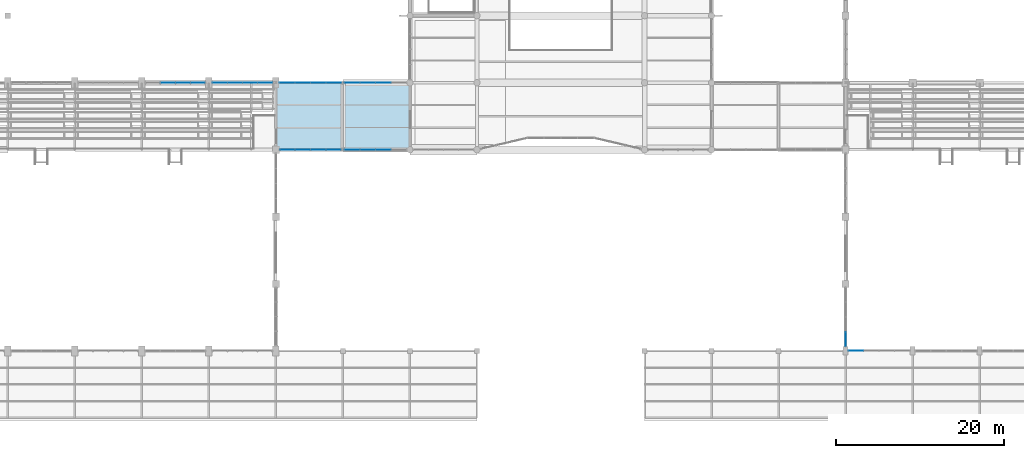
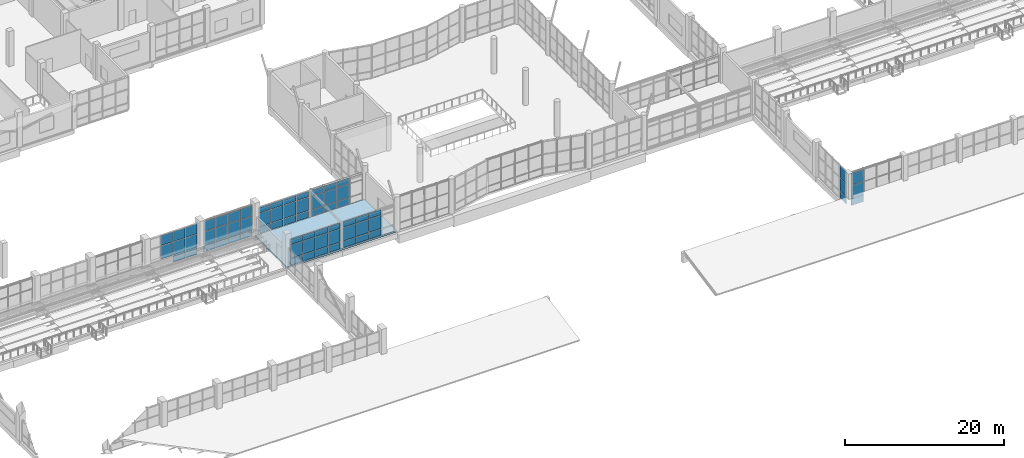
# One storey, part 73 of 122: 68 plates, 1 slab, 8 elements without a shape of their own.
"""IFC4 building model written with IfcOpenShell, lengths in metres."""

from ifc_helpers import new_model, si_unit, direction, frame, origin, origin_2d, place, context, subcontext, project, spatial, polyline, rectangle, outline, extrude, material, layer, layer_set, type_object, element, aggregate, save


model = new_model("IFC4")

# Units and contexts
model_context = context("Model", 3, precision=1e-05, world=origin(), true_north=direction((0.0, 1.0)))
body_context = subcontext(model_context, "Body", "Model", "MODEL_VIEW")
ifc_project = project(units=[si_unit("LENGTHUNIT", "METRE"), si_unit("AREAUNIT", "SQUARE_METRE"), si_unit("VOLUMEUNIT", "CUBIC_METRE"), si_unit("PLANEANGLEUNIT", "RADIAN"), si_unit("MASSUNIT", "GRAM", prefix="KILO")], contexts=[model_context])

# Site, building, storey
site_placement = place(None, origin())
site = spatial("IfcSite", under=ifc_project, at=site_placement, CompositionType="ELEMENT")
building_placement = place(site_placement, origin())
building = spatial("IfcBuilding", under=site, at=building_placement, Name="Tenunan Teduh Sports Hall", CompositionType="ELEMENT")
storey_placement = place(building_placement, frame((0.0, 0.0, 5.39990234375)))
storey = spatial("IfcBuildingStorey", under=building, at=storey_placement, Name="L01", CompositionType="ELEMENT", Elevation=5.39990234375)

# Curtain wall, plates
ifc_material_1 = material(Name="Anodised aluminium", Category="aluminium")
curtain_wall_type_1 = type_object("IfcCurtainWallType", Name="CW-UNIT-2", PredefinedType="NOTDEFINED", material=ifc_material_1)
curtain_wall_1_placement = place(storey_placement, origin())
curtain_wall_1 = element("IfcCurtainWall", 1, at=curtain_wall_1_placement, inside=storey, type_object=curtain_wall_type_1, Name="CW-CWM-200-L01-176", PredefinedType="NOTDEFINED")
ifc_material_2 = material(Name="Low-E laminated double glazing", Category="glass")
ifc_layer_1 = layer(ifc_material_2, 0.028076171875)
ifc_layer_set_1 = layer_set([ifc_layer_1], Name="Low-E laminated double glazing")
plate_type_1 = type_object("IfcPlateType", Name="CWP-GLZ-28", PredefinedType="CURTAIN_PANEL", material=ifc_layer_set_1)
plate_1_placement = place(storey_placement, frame((55.369140625, 38.0, 1.13525390625), z_axis=(0.0, 0.0, 1.0), x_axis=(1.0, 0.0, 0.0)))
plate_1 = element("IfcPlate", 2, at=plate_1_placement, type_object=plate_type_1, Name="CW-02 panel 1.2", PredefinedType="CURTAIN_PANEL", context=body_context, shape_type="SweptSolid", body=[
    extrude(rectangle(XDim=1.748291015625, YDim=0.028076171875, at=origin_2d()), origin(), (0.0, 0.0, 1.0), 2.030029296875),
])
plate_2_placement = place(storey_placement, frame((55.369140625, 38.0, 3.2353515625), z_axis=(0.0, 0.0, 1.0), x_axis=(1.0, 0.0, 0.0)))
plate_2 = element("IfcPlate", 3, at=plate_2_placement, type_object=plate_type_1, Name="CW-02 panel 1.3", PredefinedType="CURTAIN_PANEL", context=body_context, shape_type="SweptSolid", body=[
    extrude(rectangle(XDim=1.748291015625, YDim=0.028076171875, at=origin_2d()), origin(), (0.0, 0.0, 1.0), 0.844970703125),
])
plate_3_placement = place(storey_placement, frame((57.204833984375, 38.0, 1.13525390625), z_axis=(0.0, 0.0, 1.0), x_axis=(1.0, 0.0, 0.0)))
plate_3 = element("IfcPlate", 4, at=plate_3_placement, type_object=plate_type_1, Name="CW-02 panel 2.2", PredefinedType="CURTAIN_PANEL", context=body_context, shape_type="SweptSolid", body=[
    extrude(rectangle(XDim=1.783203125, YDim=0.028076171875, at=origin_2d()), origin(), (0.0, 0.0, 1.0), 2.030029296875),
])
plate_4_placement = place(storey_placement, frame((57.204833984375, 38.0, 3.2353515625), z_axis=(0.0, 0.0, 1.0), x_axis=(1.0, 0.0, 0.0)))
plate_4 = element("IfcPlate", 5, at=plate_4_placement, type_object=plate_type_1, Name="CW-02 panel 2.3", PredefinedType="CURTAIN_PANEL", context=body_context, shape_type="SweptSolid", body=[
    extrude(rectangle(XDim=1.783203125, YDim=0.028076171875, at=origin_2d()), origin(), (0.0, 0.0, 1.0), 0.844970703125),
])
plate_5_placement = place(storey_placement, frame((59.05810546875, 38.0, 1.13525390625), z_axis=(0.0, 0.0, 1.0), x_axis=(1.0, 0.0, 0.0)))
plate_5 = element("IfcPlate", 6, at=plate_5_placement, type_object=plate_type_1, Name="CW-02 panel 3.2", PredefinedType="CURTAIN_PANEL", context=body_context, shape_type="SweptSolid", body=[
    extrude(rectangle(XDim=1.783203125, YDim=0.028076171875, at=origin_2d()), origin(), (0.0, 0.0, 1.0), 2.030029296875),
])
plate_6_placement = place(storey_placement, frame((59.05810546875, 38.0, 3.2353515625), z_axis=(0.0, 0.0, 1.0), x_axis=(1.0, 0.0, 0.0)))
plate_6 = element("IfcPlate", 7, at=plate_6_placement, type_object=plate_type_1, Name="CW-02 panel 3.3", PredefinedType="CURTAIN_PANEL", context=body_context, shape_type="SweptSolid", body=[
    extrude(rectangle(XDim=1.783203125, YDim=0.028076171875, at=origin_2d()), origin(), (0.0, 0.0, 1.0), 0.844970703125),
])
plate_7_placement = place(storey_placement, frame((60.89404296875, 38.0, 1.13525390625), z_axis=(0.0, 0.0, 1.0), x_axis=(1.0, 0.0, 0.0)))
plate_7 = element("IfcPlate", 8, at=plate_7_placement, type_object=plate_type_1, Name="CW-02 panel 4.2", PredefinedType="CURTAIN_PANEL", context=body_context, shape_type="SweptSolid", body=[
    extrude(rectangle(XDim=1.748291015625, YDim=0.028076171875, at=origin_2d()), origin(), (0.0, 0.0, 1.0), 2.030029296875),
])
plate_8_placement = place(storey_placement, frame((60.89404296875, 38.0, 3.2353515625), z_axis=(0.0, 0.0, 1.0), x_axis=(1.0, 0.0, 0.0)))
plate_8 = element("IfcPlate", 9, at=plate_8_placement, type_object=plate_type_1, Name="CW-02 panel 4.3", PredefinedType="CURTAIN_PANEL", context=body_context, shape_type="SweptSolid", body=[
    extrude(rectangle(XDim=1.748291015625, YDim=0.028076171875, at=origin_2d()), origin(), (0.0, 0.0, 1.0), 0.844970703125),
])

curtain_wall_2_placement = place(storey_placement, origin())
curtain_wall_2 = element("IfcCurtainWall", 10, at=curtain_wall_2_placement, inside=storey, type_object=curtain_wall_type_1, Name="CW-CWM-175-L01-178", PredefinedType="NOTDEFINED")
plate_9_placement = place(storey_placement, frame((55.345947265625, 46.0, 1.1328125), z_axis=(0.0, 0.0, 1.0), x_axis=(1.0, 0.0, 0.0)))
plate_9 = element("IfcPlate", 11, at=plate_9_placement, type_object=plate_type_1, Name="CW-02 panel 1.2", PredefinedType="CURTAIN_PANEL", context=body_context, shape_type="SweptSolid", body=[
    extrude(rectangle(XDim=1.761962890625, YDim=0.028076171875, at=origin_2d()), origin(), (0.0, 0.0, 1.0), 2.034912109375),
])
plate_10_placement = place(storey_placement, frame((55.345947265625, 46.0, 3.232666015625), z_axis=(0.0, 0.0, 1.0), x_axis=(1.0, 0.0, 0.0)))
plate_10 = element("IfcPlate", 12, at=plate_10_placement, type_object=plate_type_1, Name="CW-02 panel 1.3", PredefinedType="CURTAIN_PANEL", context=body_context, shape_type="SweptSolid", body=[
    extrude(rectangle(XDim=1.761962890625, YDim=0.028076171875, at=origin_2d()), origin(), (0.0, 0.0, 1.0), 0.8525390625),
])
plate_11_placement = place(storey_placement, frame((57.189208984375, 46.0, 1.1328125), z_axis=(0.0, 0.0, 1.0), x_axis=(1.0, 0.0, 0.0)))
plate_11 = element("IfcPlate", 13, at=plate_11_placement, type_object=plate_type_1, Name="CW-02 panel 2.2", PredefinedType="CURTAIN_PANEL", context=body_context, shape_type="SweptSolid", body=[
    extrude(rectangle(XDim=1.79443359375, YDim=0.028076171875, at=origin_2d()), origin(), (0.0, 0.0, 1.0), 2.034912109375),
])
plate_12_placement = place(storey_placement, frame((57.189208984375, 46.0, 3.232666015625), z_axis=(0.0, 0.0, 1.0), x_axis=(1.0, 0.0, 0.0)))
plate_12 = element("IfcPlate", 14, at=plate_12_placement, type_object=plate_type_1, Name="CW-02 panel 2.3", PredefinedType="CURTAIN_PANEL", context=body_context, shape_type="SweptSolid", body=[
    extrude(rectangle(XDim=1.79443359375, YDim=0.028076171875, at=origin_2d()), origin(), (0.0, 0.0, 1.0), 0.8525390625),
])
plate_13_placement = place(storey_placement, frame((59.048828125, 46.0, 1.1328125), z_axis=(0.0, 0.0, 1.0), x_axis=(1.0, 0.0, 0.0)))
plate_13 = element("IfcPlate", 15, at=plate_13_placement, type_object=plate_type_1, Name="CW-02 panel 3.2", PredefinedType="CURTAIN_PANEL", context=body_context, shape_type="SweptSolid", body=[
    extrude(rectangle(XDim=1.79443359375, YDim=0.028076171875, at=origin_2d()), origin(), (0.0, 0.0, 1.0), 2.034912109375),
])
plate_14_placement = place(storey_placement, frame((59.048828125, 46.0, 3.232666015625), z_axis=(0.0, 0.0, 1.0), x_axis=(1.0, 0.0, 0.0)))
plate_14 = element("IfcPlate", 16, at=plate_14_placement, type_object=plate_type_1, Name="CW-02 panel 3.3", PredefinedType="CURTAIN_PANEL", context=body_context, shape_type="SweptSolid", body=[
    extrude(rectangle(XDim=1.79443359375, YDim=0.028076171875, at=origin_2d()), origin(), (0.0, 0.0, 1.0), 0.8525390625),
])
plate_15_placement = place(storey_placement, frame((60.89208984375, 46.0, 1.1328125), z_axis=(0.0, 0.0, 1.0), x_axis=(1.0, 0.0, 0.0)))
plate_15 = element("IfcPlate", 17, at=plate_15_placement, type_object=plate_type_1, Name="CW-02 panel 4.2", PredefinedType="CURTAIN_PANEL", context=body_context, shape_type="SweptSolid", body=[
    extrude(rectangle(XDim=1.761962890625, YDim=0.028076171875, at=origin_2d()), origin(), (0.0, 0.0, 1.0), 2.034912109375),
])
plate_16_placement = place(storey_placement, frame((60.89208984375, 46.0, 3.232666015625), z_axis=(0.0, 0.0, 1.0), x_axis=(1.0, 0.0, 0.0)))
plate_16 = element("IfcPlate", 18, at=plate_16_placement, type_object=plate_type_1, Name="CW-02 panel 4.3", PredefinedType="CURTAIN_PANEL", context=body_context, shape_type="SweptSolid", body=[
    extrude(rectangle(XDim=1.761962890625, YDim=0.028076171875, at=origin_2d()), origin(), (0.0, 0.0, 1.0), 0.8525390625),
])

ifc_material_3 = material(Name="Anodised aluminium", Category="aluminium")
curtain_wall_type_2 = type_object("IfcCurtainWallType", Name="CW-UNIT-1", PredefinedType="NOTDEFINED", material=ifc_material_3)
curtain_wall_3_placement = place(storey_placement, origin())
curtain_wall_3 = element("IfcCurtainWall", 19, at=curtain_wall_3_placement, inside=storey, type_object=curtain_wall_type_2, Name="CW-CWM-150-L01-007", PredefinedType="NOTDEFINED")
ifc_material_4 = material(Name="Solar-control laminated glazing", Category="glass")
ifc_layer_2 = layer(ifc_material_4, 0.031982421875)
ifc_layer_set_2 = layer_set([ifc_layer_2], Name="Solar-control laminated glazing")
plate_type_2 = type_object("IfcPlateType", Name="CWP-GLZ-32", PredefinedType="CURTAIN_PANEL", material=ifc_layer_set_2)
plate_17_placement = place(storey_placement, frame((123.239990234375, 14.0, 1.130126953125), z_axis=(0.0, 0.0, 1.0), x_axis=(1.0, 0.0, 0.0)))
plate_17 = element("IfcPlate", 20, at=plate_17_placement, type_object=plate_type_2, Name="CW-01 panel 1.2", PredefinedType="CURTAIN_PANEL", context=body_context, shape_type="SweptSolid", body=[
    extrude(rectangle(XDim=1.760009765625, YDim=0.031982421875, at=origin_2d()), origin(), (0.0, 0.0, 1.0), 2.0400390625),
])
plate_18_placement = place(storey_placement, frame((123.239990234375, 14.0, 3.22998046875), z_axis=(0.0, 0.0, 1.0), x_axis=(1.0, 0.0, 0.0)))
plate_18 = element("IfcPlate", 21, at=plate_18_placement, type_object=plate_type_2, Name="CW-01 panel 1.3", PredefinedType="CURTAIN_PANEL", context=body_context, shape_type="SweptSolid", body=[
    extrude(rectangle(XDim=1.760009765625, YDim=0.031982421875, at=origin_2d()), origin(), (0.0, 0.0, 1.0), 1.830078125),
])

curtain_wall_4_placement = place(storey_placement, origin())
curtain_wall_4 = element("IfcCurtainWall", 22, at=curtain_wall_4_placement, inside=storey, type_object=curtain_wall_type_2, Name="CW-CWM-150-L01-015", PredefinedType="NOTDEFINED")
plate_19_placement = place(storey_placement, frame((122.0, 15.3994140625, 1.130126953125), z_axis=(0.0, 0.0, 1.0), x_axis=(0.0, 1.0, 0.0)))
plate_19 = element("IfcPlate", 23, at=plate_19_placement, type_object=plate_type_2, Name="CW-01 panel 1.2", PredefinedType="CURTAIN_PANEL", context=body_context, shape_type="SweptSolid", body=[
    extrude(rectangle(XDim=1.6787109375, YDim=0.031982421875, at=origin_2d()), origin(), (0.0, 0.0, 1.0), 2.0400390625),
])
plate_20_placement = place(storey_placement, frame((122.0, 15.3994140625, 3.22998046875), z_axis=(0.0, 0.0, 1.0), x_axis=(0.0, 1.0, 0.0)))
plate_20 = element("IfcPlate", 24, at=plate_20_placement, type_object=plate_type_2, Name="CW-01 panel 1.3", PredefinedType="CURTAIN_PANEL", context=body_context, shape_type="SweptSolid", body=[
    extrude(rectangle(XDim=1.6787109375, YDim=0.031982421875, at=origin_2d()), origin(), (0.0, 0.0, 1.0), 1.830078125),
])

curtain_wall_5_placement = place(storey_placement, origin())
curtain_wall_5 = element("IfcCurtainWall", 25, at=curtain_wall_5_placement, inside=storey, type_object=curtain_wall_type_2, Name="CW-CWM-220-L01-049", PredefinedType="NOTDEFINED")
plate_21_placement = place(storey_placement, frame((41.10009765625, 46.0, 1.1376953125), z_axis=(0.0, 0.0, 1.0), x_axis=(1.0, 0.0, 0.0)))
plate_21 = element("IfcPlate", 26, at=plate_21_placement, type_object=plate_type_2, Name="CW-01 panel 2.2", PredefinedType="CURTAIN_PANEL", context=body_context, shape_type="SweptSolid", body=[
    extrude(rectangle(XDim=1.72509765625, YDim=0.031982421875, at=origin_2d()), origin(), (0.0, 0.0, 1.0), 2.02490234375),
])
plate_22_placement = place(storey_placement, frame((41.10009765625, 46.0, 3.237548828125), z_axis=(0.0, 0.0, 1.0), x_axis=(1.0, 0.0, 0.0)))
plate_22 = element("IfcPlate", 27, at=plate_22_placement, type_object=plate_type_2, Name="CW-01 panel 2.3", PredefinedType="CURTAIN_PANEL", context=body_context, shape_type="SweptSolid", body=[
    extrude(rectangle(XDim=1.72509765625, YDim=0.031982421875, at=origin_2d()), origin(), (0.0, 0.0, 1.0), 1.53759765625),
])
plate_23_placement = place(storey_placement, frame((42.89990234375, 46.0, 1.1376953125), z_axis=(0.0, 0.0, 1.0), x_axis=(1.0, 0.0, 0.0)))
plate_23 = element("IfcPlate", 28, at=plate_23_placement, type_object=plate_type_2, Name="CW-01 panel 3.2", PredefinedType="CURTAIN_PANEL", context=body_context, shape_type="SweptSolid", body=[
    extrude(rectangle(XDim=1.72509765625, YDim=0.031982421875, at=origin_2d()), origin(), (0.0, 0.0, 1.0), 2.02490234375),
])
plate_24_placement = place(storey_placement, frame((42.89990234375, 46.0, 3.237548828125), z_axis=(0.0, 0.0, 1.0), x_axis=(1.0, 0.0, 0.0)))
plate_24 = element("IfcPlate", 29, at=plate_24_placement, type_object=plate_type_2, Name="CW-01 panel 3.3", PredefinedType="CURTAIN_PANEL", context=body_context, shape_type="SweptSolid", body=[
    extrude(rectangle(XDim=1.72509765625, YDim=0.031982421875, at=origin_2d()), origin(), (0.0, 0.0, 1.0), 1.53759765625),
])
plate_25_placement = place(storey_placement, frame((44.68115234375, 46.0, 1.1376953125), z_axis=(0.0, 0.0, 1.0), x_axis=(1.0, 0.0, 0.0)))
plate_25 = element("IfcPlate", 30, at=plate_25_placement, type_object=plate_type_2, Name="CW-01 panel 4.2", PredefinedType="CURTAIN_PANEL", context=body_context, shape_type="SweptSolid", body=[
    extrude(rectangle(XDim=1.6875, YDim=0.031982421875, at=origin_2d()), origin(), (0.0, 0.0, 1.0), 2.02490234375),
])
plate_26_placement = place(storey_placement, frame((44.68115234375, 46.0, 3.237548828125), z_axis=(0.0, 0.0, 1.0), x_axis=(1.0, 0.0, 0.0)))
plate_26 = element("IfcPlate", 31, at=plate_26_placement, type_object=plate_type_2, Name="CW-01 panel 4.3", PredefinedType="CURTAIN_PANEL", context=body_context, shape_type="SweptSolid", body=[
    extrude(rectangle(XDim=1.6875, YDim=0.031982421875, at=origin_2d()), origin(), (0.0, 0.0, 1.0), 1.53759765625),
])

curtain_wall_6_placement = place(storey_placement, origin())
curtain_wall_6 = element("IfcCurtainWall", 32, at=curtain_wall_6_placement, inside=storey, type_object=curtain_wall_type_2, Name="CW-CWM-150-L01-051", PredefinedType="NOTDEFINED")
plate_27_placement = place(storey_placement, frame((47.31494140625, 46.0, 1.130126953125), z_axis=(0.0, 0.0, 1.0), x_axis=(1.0, 0.0, 0.0)))
plate_27 = element("IfcPlate", 33, at=plate_27_placement, type_object=plate_type_2, Name="CW-01 panel 1.2", PredefinedType="CURTAIN_PANEL", context=body_context, shape_type="SweptSolid", body=[
    extrude(rectangle(XDim=1.7099609375, YDim=0.031982421875, at=origin_2d()), origin(), (0.0, 0.0, 1.0), 2.0400390625),
])
plate_28_placement = place(storey_placement, frame((47.31494140625, 46.0, 3.22998046875), z_axis=(0.0, 0.0, 1.0), x_axis=(1.0, 0.0, 0.0)))
plate_28 = element("IfcPlate", 34, at=plate_28_placement, type_object=plate_type_2, Name="CW-01 panel 1.3", PredefinedType="CURTAIN_PANEL", context=body_context, shape_type="SweptSolid", body=[
    extrude(rectangle(XDim=1.7099609375, YDim=0.031982421875, at=origin_2d()), origin(), (0.0, 0.0, 1.0), 1.56005859375),
])
plate_29_placement = place(storey_placement, frame((49.10009765625, 46.0, 1.130126953125), z_axis=(0.0, 0.0, 1.0), x_axis=(1.0, 0.0, 0.0)))
plate_29 = element("IfcPlate", 35, at=plate_29_placement, type_object=plate_type_2, Name="CW-01 panel 2.2", PredefinedType="CURTAIN_PANEL", context=body_context, shape_type="SweptSolid", body=[
    extrude(rectangle(XDim=1.739990234375, YDim=0.031982421875, at=origin_2d()), origin(), (0.0, 0.0, 1.0), 2.0400390625),
])
plate_30_placement = place(storey_placement, frame((49.10009765625, 46.0, 3.22998046875), z_axis=(0.0, 0.0, 1.0), x_axis=(1.0, 0.0, 0.0)))
plate_30 = element("IfcPlate", 36, at=plate_30_placement, type_object=plate_type_2, Name="CW-01 panel 2.3", PredefinedType="CURTAIN_PANEL", context=body_context, shape_type="SweptSolid", body=[
    extrude(rectangle(XDim=1.739990234375, YDim=0.031982421875, at=origin_2d()), origin(), (0.0, 0.0, 1.0), 1.56005859375),
])
plate_31_placement = place(storey_placement, frame((50.89990234375, 46.0, 1.130126953125), z_axis=(0.0, 0.0, 1.0), x_axis=(1.0, 0.0, 0.0)))
plate_31 = element("IfcPlate", 37, at=plate_31_placement, type_object=plate_type_2, Name="CW-01 panel 3.2", PredefinedType="CURTAIN_PANEL", context=body_context, shape_type="SweptSolid", body=[
    extrude(rectangle(XDim=1.739990234375, YDim=0.031982421875, at=origin_2d()), origin(), (0.0, 0.0, 1.0), 2.0400390625),
])
plate_32_placement = place(storey_placement, frame((50.89990234375, 46.0, 3.22998046875), z_axis=(0.0, 0.0, 1.0), x_axis=(1.0, 0.0, 0.0)))
plate_32 = element("IfcPlate", 38, at=plate_32_placement, type_object=plate_type_2, Name="CW-01 panel 3.3", PredefinedType="CURTAIN_PANEL", context=body_context, shape_type="SweptSolid", body=[
    extrude(rectangle(XDim=1.739990234375, YDim=0.031982421875, at=origin_2d()), origin(), (0.0, 0.0, 1.0), 1.56005859375),
])
plate_33_placement = place(storey_placement, frame((52.68505859375, 46.0, 1.130126953125), z_axis=(0.0, 0.0, 1.0), x_axis=(1.0, 0.0, 0.0)))
plate_33 = element("IfcPlate", 39, at=plate_33_placement, type_object=plate_type_2, Name="CW-01 panel 4.2", PredefinedType="CURTAIN_PANEL", context=body_context, shape_type="SweptSolid", body=[
    extrude(rectangle(XDim=1.7099609375, YDim=0.031982421875, at=origin_2d()), origin(), (0.0, 0.0, 1.0), 2.0400390625),
])
plate_34_placement = place(storey_placement, frame((52.68505859375, 46.0, 3.22998046875), z_axis=(0.0, 0.0, 1.0), x_axis=(1.0, 0.0, 0.0)))
plate_34 = element("IfcPlate", 40, at=plate_34_placement, type_object=plate_type_2, Name="CW-01 panel 4.3", PredefinedType="CURTAIN_PANEL", context=body_context, shape_type="SweptSolid", body=[
    extrude(rectangle(XDim=1.7099609375, YDim=0.031982421875, at=origin_2d()), origin(), (0.0, 0.0, 1.0), 1.56005859375),
])

curtain_wall_7_placement = place(storey_placement, origin())
curtain_wall_7 = element("IfcCurtainWall", 41, at=curtain_wall_7_placement, inside=storey, type_object=curtain_wall_type_1, Name="CW-CWM-220-L01-177", PredefinedType="NOTDEFINED")
plate_35_placement = place(storey_placement, frame((63.113525390625, 38.0, 1.1376953125), z_axis=(0.0, 0.0, 1.0), x_axis=(1.0, 0.0, 0.0)))
plate_35 = element("IfcPlate", 42, at=plate_35_placement, type_object=plate_type_2, Name="CW-02 panel 1.2", PredefinedType="CURTAIN_PANEL", context=body_context, shape_type="SweptSolid", body=[
    extrude(rectangle(XDim=1.753173828125, YDim=0.031982421875, at=origin_2d()), origin(), (0.0, 0.0, 1.0), 2.02490234375),
])
plate_36_placement = place(storey_placement, frame((63.113525390625, 38.0, 3.237548828125), z_axis=(0.0, 0.0, 1.0), x_axis=(1.0, 0.0, 0.0)))
plate_36 = element("IfcPlate", 43, at=plate_36_placement, type_object=plate_type_2, Name="CW-02 panel 1.3", PredefinedType="CURTAIN_PANEL", context=body_context, shape_type="SweptSolid", body=[
    extrude(rectangle(XDim=1.753173828125, YDim=0.031982421875, at=origin_2d()), origin(), (0.0, 0.0, 1.0), 0.83740234375),
])
plate_37_placement = place(storey_placement, frame((64.96044921875, 38.0, 1.1376953125), z_axis=(0.0, 0.0, 1.0), x_axis=(1.0, 0.0, 0.0)))
plate_37 = element("IfcPlate", 44, at=plate_37_placement, type_object=plate_type_2, Name="CW-02 panel 2.2", PredefinedType="CURTAIN_PANEL", context=body_context, shape_type="SweptSolid", body=[
    extrude(rectangle(XDim=1.790771484375, YDim=0.031982421875, at=origin_2d()), origin(), (0.0, 0.0, 1.0), 2.02490234375),
])
plate_38_placement = place(storey_placement, frame((64.96044921875, 38.0, 3.237548828125), z_axis=(0.0, 0.0, 1.0), x_axis=(1.0, 0.0, 0.0)))
plate_38 = element("IfcPlate", 45, at=plate_38_placement, type_object=plate_type_2, Name="CW-02 panel 2.3", PredefinedType="CURTAIN_PANEL", context=body_context, shape_type="SweptSolid", body=[
    extrude(rectangle(XDim=1.790771484375, YDim=0.031982421875, at=origin_2d()), origin(), (0.0, 0.0, 1.0), 0.83740234375),
])
plate_39_placement = place(storey_placement, frame((66.826416015625, 38.0, 1.1376953125), z_axis=(0.0, 0.0, 1.0), x_axis=(1.0, 0.0, 0.0)))
plate_39 = element("IfcPlate", 46, at=plate_39_placement, type_object=plate_type_2, Name="CW-02 panel 3.2", PredefinedType="CURTAIN_PANEL", context=body_context, shape_type="SweptSolid", body=[
    extrude(rectangle(XDim=1.790771484375, YDim=0.031982421875, at=origin_2d()), origin(), (0.0, 0.0, 1.0), 2.02490234375),
])
plate_40_placement = place(storey_placement, frame((66.826416015625, 38.0, 3.237548828125), z_axis=(0.0, 0.0, 1.0), x_axis=(1.0, 0.0, 0.0)))
plate_40 = element("IfcPlate", 47, at=plate_40_placement, type_object=plate_type_2, Name="CW-02 panel 3.3", PredefinedType="CURTAIN_PANEL", context=body_context, shape_type="SweptSolid", body=[
    extrude(rectangle(XDim=1.790771484375, YDim=0.031982421875, at=origin_2d()), origin(), (0.0, 0.0, 1.0), 0.83740234375),
])

curtain_wall_8_placement = place(storey_placement, origin())
curtain_wall_8 = element("IfcCurtainWall", 48, at=curtain_wall_8_placement, inside=storey, type_object=curtain_wall_type_1, Name="CW-CWM-150-L01-179", PredefinedType="NOTDEFINED")
plate_41_placement = place(storey_placement, frame((63.10986328125, 46.0, 1.130126953125), z_axis=(0.0, 0.0, 1.0), x_axis=(1.0, 0.0, 0.0)))
plate_41 = element("IfcPlate", 49, at=plate_41_placement, type_object=plate_type_2, Name="CW-02 panel 1.2", PredefinedType="CURTAIN_PANEL", context=body_context, shape_type="SweptSolid", body=[
    extrude(rectangle(XDim=1.77587890625, YDim=0.031982421875, at=origin_2d()), origin(), (0.0, 0.0, 1.0), 2.0400390625),
])
plate_42_placement = place(storey_placement, frame((63.10986328125, 46.0, 3.22998046875), z_axis=(0.0, 0.0, 1.0), x_axis=(1.0, 0.0, 0.0)))
plate_42 = element("IfcPlate", 50, at=plate_42_placement, type_object=plate_type_2, Name="CW-02 panel 1.3", PredefinedType="CURTAIN_PANEL", context=body_context, shape_type="SweptSolid", body=[
    extrude(rectangle(XDim=1.77587890625, YDim=0.031982421875, at=origin_2d()), origin(), (0.0, 0.0, 1.0), 0.860107421875),
])
plate_43_placement = place(storey_placement, frame((64.96044921875, 46.0, 1.130126953125), z_axis=(0.0, 0.0, 1.0), x_axis=(1.0, 0.0, 0.0)))
plate_43 = element("IfcPlate", 51, at=plate_43_placement, type_object=plate_type_2, Name="CW-02 panel 2.2", PredefinedType="CURTAIN_PANEL", context=body_context, shape_type="SweptSolid", body=[
    extrude(rectangle(XDim=1.8056640625, YDim=0.031982421875, at=origin_2d()), origin(), (0.0, 0.0, 1.0), 2.0400390625),
])
plate_44_placement = place(storey_placement, frame((64.96044921875, 46.0, 3.22998046875), z_axis=(0.0, 0.0, 1.0), x_axis=(1.0, 0.0, 0.0)))
plate_44 = element("IfcPlate", 52, at=plate_44_placement, type_object=plate_type_2, Name="CW-02 panel 2.3", PredefinedType="CURTAIN_PANEL", context=body_context, shape_type="SweptSolid", body=[
    extrude(rectangle(XDim=1.8056640625, YDim=0.031982421875, at=origin_2d()), origin(), (0.0, 0.0, 1.0), 0.860107421875),
])
plate_45_placement = place(storey_placement, frame((66.826416015625, 46.0, 1.130126953125), z_axis=(0.0, 0.0, 1.0), x_axis=(1.0, 0.0, 0.0)))
plate_45 = element("IfcPlate", 53, at=plate_45_placement, type_object=plate_type_2, Name="CW-02 panel 3.2", PredefinedType="CURTAIN_PANEL", context=body_context, shape_type="SweptSolid", body=[
    extrude(rectangle(XDim=1.8056640625, YDim=0.031982421875, at=origin_2d()), origin(), (0.0, 0.0, 1.0), 2.0400390625),
])
plate_46_placement = place(storey_placement, frame((66.826416015625, 46.0, 3.22998046875), z_axis=(0.0, 0.0, 1.0), x_axis=(1.0, 0.0, 0.0)))
plate_46 = element("IfcPlate", 54, at=plate_46_placement, type_object=plate_type_2, Name="CW-02 panel 3.3", PredefinedType="CURTAIN_PANEL", context=body_context, shape_type="SweptSolid", body=[
    extrude(rectangle(XDim=1.8056640625, YDim=0.031982421875, at=origin_2d()), origin(), (0.0, 0.0, 1.0), 0.860107421875),
])

# Plate
ifc_material_5 = material(Name="Insulated aluminium spandrel panel", Category="aluminium")
ifc_layer_3 = layer(ifc_material_5, 0.044921875)
ifc_layer_set_3 = layer_set([ifc_layer_3], Name="Insulated aluminium spandrel panel")
plate_type_3 = type_object("IfcPlateType", Name="CWP-SPN-45", PredefinedType="CURTAIN_PANEL", material=ifc_layer_set_3)
plate_47_placement = place(storey_placement, frame((123.239990234375, 14.0, 0.06005859375), z_axis=(0.0, 0.0, 1.0), x_axis=(1.0, 0.0, 0.0)))
plate_47 = element("IfcPlate", 55, at=plate_47_placement, type_object=plate_type_3, Name="CW-01 panel 1.1", PredefinedType="CURTAIN_PANEL", context=body_context, shape_type="SweptSolid", body=[
    extrude(rectangle(XDim=1.760009765625, YDim=0.031982421875, at=origin_2d()), origin(), (0.0, 0.0, 1.0), 1.010009765625),
])

aggregate(curtain_wall_3, [plate_47, plate_17, plate_18])

plate_48_placement = place(storey_placement, frame((122.0, 15.3994140625, 0.06005859375), z_axis=(0.0, 0.0, 1.0), x_axis=(0.0, 1.0, 0.0)))
plate_48 = element("IfcPlate", 56, at=plate_48_placement, type_object=plate_type_3, Name="CW-01 panel 1.1", PredefinedType="CURTAIN_PANEL", context=body_context, shape_type="SweptSolid", body=[
    extrude(rectangle(XDim=1.6787109375, YDim=0.031982421875, at=origin_2d()), origin(), (0.0, 0.0, 1.0), 1.010009765625),
])

aggregate(curtain_wall_4, [plate_48, plate_19, plate_20])

plate_49_placement = place(storey_placement, frame((42.89990234375, 46.0, 0.0751953125), z_axis=(0.0, 0.0, 1.0), x_axis=(1.0, 0.0, 0.0)))
plate_49 = element("IfcPlate", 57, at=plate_49_placement, type_object=plate_type_3, Name="CW-01 panel 3.1", PredefinedType="CURTAIN_PANEL", context=body_context, shape_type="SweptSolid", body=[
    extrude(rectangle(XDim=1.72509765625, YDim=0.031982421875, at=origin_2d()), origin(), (0.0, 0.0, 1.0), 0.987548828125),
])

plate_50_placement = place(storey_placement, frame((44.68115234375, 46.0, 0.0751953125), z_axis=(0.0, 0.0, 1.0), x_axis=(1.0, 0.0, 0.0)))
plate_50 = element("IfcPlate", 58, at=plate_50_placement, type_object=plate_type_3, Name="CW-01 panel 4.1", PredefinedType="CURTAIN_PANEL", context=body_context, shape_type="SweptSolid", body=[
    extrude(rectangle(XDim=1.6875, YDim=0.031982421875, at=origin_2d()), origin(), (0.0, 0.0, 1.0), 0.987548828125),
])

aggregate(curtain_wall_5, [plate_21, plate_22, plate_49, plate_23, plate_24, plate_50, plate_25, plate_26])

plate_51_placement = place(storey_placement, frame((47.31494140625, 46.0, 0.06005859375), z_axis=(0.0, 0.0, 1.0), x_axis=(1.0, 0.0, 0.0)))
plate_51 = element("IfcPlate", 59, at=plate_51_placement, type_object=plate_type_3, Name="CW-01 panel 1.1", PredefinedType="CURTAIN_PANEL", context=body_context, shape_type="SweptSolid", body=[
    extrude(rectangle(XDim=1.7099609375, YDim=0.031982421875, at=origin_2d()), origin(), (0.0, 0.0, 1.0), 1.010009765625),
])

plate_52_placement = place(storey_placement, frame((49.10009765625, 46.0, 0.06005859375), z_axis=(0.0, 0.0, 1.0), x_axis=(1.0, 0.0, 0.0)))
plate_52 = element("IfcPlate", 60, at=plate_52_placement, type_object=plate_type_3, Name="CW-01 panel 2.1", PredefinedType="CURTAIN_PANEL", context=body_context, shape_type="SweptSolid", body=[
    extrude(rectangle(XDim=1.739990234375, YDim=0.031982421875, at=origin_2d()), origin(), (0.0, 0.0, 1.0), 1.010009765625),
])

plate_53_placement = place(storey_placement, frame((50.89990234375, 46.0, 0.06005859375), z_axis=(0.0, 0.0, 1.0), x_axis=(1.0, 0.0, 0.0)))
plate_53 = element("IfcPlate", 61, at=plate_53_placement, type_object=plate_type_3, Name="CW-01 panel 3.1", PredefinedType="CURTAIN_PANEL", context=body_context, shape_type="SweptSolid", body=[
    extrude(rectangle(XDim=1.739990234375, YDim=0.031982421875, at=origin_2d()), origin(), (0.0, 0.0, 1.0), 1.010009765625),
])

plate_54_placement = place(storey_placement, frame((52.68505859375, 46.0, 0.06005859375), z_axis=(0.0, 0.0, 1.0), x_axis=(1.0, 0.0, 0.0)))
plate_54 = element("IfcPlate", 62, at=plate_54_placement, type_object=plate_type_3, Name="CW-01 panel 4.1", PredefinedType="CURTAIN_PANEL", context=body_context, shape_type="SweptSolid", body=[
    extrude(rectangle(XDim=1.7099609375, YDim=0.031982421875, at=origin_2d()), origin(), (0.0, 0.0, 1.0), 1.010009765625),
])

aggregate(curtain_wall_6, [plate_51, plate_27, plate_28, plate_52, plate_29, plate_30, plate_53, plate_31, plate_32, plate_54, plate_33, plate_34])

plate_55_placement = place(storey_placement, frame((55.369140625, 38.0, 0.070068359375), z_axis=(0.0, 0.0, 1.0), x_axis=(1.0, 0.0, 0.0)))
plate_55 = element("IfcPlate", 63, at=plate_55_placement, type_object=plate_type_3, Name="CW-02 panel 1.1", PredefinedType="CURTAIN_PANEL", context=body_context, shape_type="SweptSolid", body=[
    extrude(rectangle(XDim=1.748291015625, YDim=0.028076171875, at=origin_2d()), origin(), (0.0, 0.0, 1.0), 0.9951171875),
])

plate_56_placement = place(storey_placement, frame((57.204833984375, 38.0, 0.070068359375), z_axis=(0.0, 0.0, 1.0), x_axis=(1.0, 0.0, 0.0)))
plate_56 = element("IfcPlate", 64, at=plate_56_placement, type_object=plate_type_3, Name="CW-02 panel 2.1", PredefinedType="CURTAIN_PANEL", context=body_context, shape_type="SweptSolid", body=[
    extrude(rectangle(XDim=1.783203125, YDim=0.028076171875, at=origin_2d()), origin(), (0.0, 0.0, 1.0), 0.9951171875),
])

plate_57_placement = place(storey_placement, frame((59.05810546875, 38.0, 0.070068359375), z_axis=(0.0, 0.0, 1.0), x_axis=(1.0, 0.0, 0.0)))
plate_57 = element("IfcPlate", 65, at=plate_57_placement, type_object=plate_type_3, Name="CW-02 panel 3.1", PredefinedType="CURTAIN_PANEL", context=body_context, shape_type="SweptSolid", body=[
    extrude(rectangle(XDim=1.783203125, YDim=0.028076171875, at=origin_2d()), origin(), (0.0, 0.0, 1.0), 0.9951171875),
])

plate_58_placement = place(storey_placement, frame((60.89404296875, 38.0, 0.070068359375), z_axis=(0.0, 0.0, 1.0), x_axis=(1.0, 0.0, 0.0)))
plate_58 = element("IfcPlate", 66, at=plate_58_placement, type_object=plate_type_3, Name="CW-02 panel 4.1", PredefinedType="CURTAIN_PANEL", context=body_context, shape_type="SweptSolid", body=[
    extrude(rectangle(XDim=1.748291015625, YDim=0.028076171875, at=origin_2d()), origin(), (0.0, 0.0, 1.0), 0.9951171875),
])

aggregate(curtain_wall_1, [plate_55, plate_1, plate_2, plate_56, plate_3, plate_4, plate_57, plate_5, plate_6, plate_58, plate_7, plate_8])

plate_59_placement = place(storey_placement, frame((63.113525390625, 38.0, 0.0751953125), z_axis=(0.0, 0.0, 1.0), x_axis=(1.0, 0.0, 0.0)))
plate_59 = element("IfcPlate", 67, at=plate_59_placement, type_object=plate_type_3, Name="CW-02 panel 1.1", PredefinedType="CURTAIN_PANEL", context=body_context, shape_type="SweptSolid", body=[
    extrude(rectangle(XDim=1.753173828125, YDim=0.031982421875, at=origin_2d()), origin(), (0.0, 0.0, 1.0), 0.987548828125),
])

plate_60_placement = place(storey_placement, frame((64.96044921875, 38.0, 0.0751953125), z_axis=(0.0, 0.0, 1.0), x_axis=(1.0, 0.0, 0.0)))
plate_60 = element("IfcPlate", 68, at=plate_60_placement, type_object=plate_type_3, Name="CW-02 panel 2.1", PredefinedType="CURTAIN_PANEL", context=body_context, shape_type="SweptSolid", body=[
    extrude(rectangle(XDim=1.790771484375, YDim=0.031982421875, at=origin_2d()), origin(), (0.0, 0.0, 1.0), 0.987548828125),
])

plate_61_placement = place(storey_placement, frame((66.826416015625, 38.0, 0.0751953125), z_axis=(0.0, 0.0, 1.0), x_axis=(1.0, 0.0, 0.0)))
plate_61 = element("IfcPlate", 69, at=plate_61_placement, type_object=plate_type_3, Name="CW-02 panel 3.1", PredefinedType="CURTAIN_PANEL", context=body_context, shape_type="SweptSolid", body=[
    extrude(rectangle(XDim=1.790771484375, YDim=0.031982421875, at=origin_2d()), origin(), (0.0, 0.0, 1.0), 0.987548828125),
])

aggregate(curtain_wall_7, [plate_59, plate_35, plate_36, plate_60, plate_37, plate_38, plate_61, plate_39, plate_40])

plate_62_placement = place(storey_placement, frame((55.345947265625, 46.0, 0.065185546875), z_axis=(0.0, 0.0, 1.0), x_axis=(1.0, 0.0, 0.0)))
plate_62 = element("IfcPlate", 70, at=plate_62_placement, type_object=plate_type_3, Name="CW-02 panel 1.1", PredefinedType="CURTAIN_PANEL", context=body_context, shape_type="SweptSolid", body=[
    extrude(rectangle(XDim=1.761962890625, YDim=0.028076171875, at=origin_2d()), origin(), (0.0, 0.0, 1.0), 1.00244140625),
])

plate_63_placement = place(storey_placement, frame((57.189208984375, 46.0, 0.065185546875), z_axis=(0.0, 0.0, 1.0), x_axis=(1.0, 0.0, 0.0)))
plate_63 = element("IfcPlate", 71, at=plate_63_placement, type_object=plate_type_3, Name="CW-02 panel 2.1", PredefinedType="CURTAIN_PANEL", context=body_context, shape_type="SweptSolid", body=[
    extrude(rectangle(XDim=1.79443359375, YDim=0.028076171875, at=origin_2d()), origin(), (0.0, 0.0, 1.0), 1.00244140625),
])

plate_64_placement = place(storey_placement, frame((59.048828125, 46.0, 0.065185546875), z_axis=(0.0, 0.0, 1.0), x_axis=(1.0, 0.0, 0.0)))
plate_64 = element("IfcPlate", 72, at=plate_64_placement, type_object=plate_type_3, Name="CW-02 panel 3.1", PredefinedType="CURTAIN_PANEL", context=body_context, shape_type="SweptSolid", body=[
    extrude(rectangle(XDim=1.79443359375, YDim=0.028076171875, at=origin_2d()), origin(), (0.0, 0.0, 1.0), 1.00244140625),
])

plate_65_placement = place(storey_placement, frame((60.89208984375, 46.0, 0.065185546875), z_axis=(0.0, 0.0, 1.0), x_axis=(1.0, 0.0, 0.0)))
plate_65 = element("IfcPlate", 73, at=plate_65_placement, type_object=plate_type_3, Name="CW-02 panel 4.1", PredefinedType="CURTAIN_PANEL", context=body_context, shape_type="SweptSolid", body=[
    extrude(rectangle(XDim=1.761962890625, YDim=0.028076171875, at=origin_2d()), origin(), (0.0, 0.0, 1.0), 1.00244140625),
])

aggregate(curtain_wall_2, [plate_62, plate_9, plate_10, plate_63, plate_11, plate_12, plate_64, plate_13, plate_14, plate_65, plate_15, plate_16])

plate_66_placement = place(storey_placement, frame((63.10986328125, 46.0, 0.06005859375), z_axis=(0.0, 0.0, 1.0), x_axis=(1.0, 0.0, 0.0)))
plate_66 = element("IfcPlate", 74, at=plate_66_placement, type_object=plate_type_3, Name="CW-02 panel 1.1", PredefinedType="CURTAIN_PANEL", context=body_context, shape_type="SweptSolid", body=[
    extrude(rectangle(XDim=1.77587890625, YDim=0.031982421875, at=origin_2d()), origin(), (0.0, 0.0, 1.0), 1.010009765625),
])

plate_67_placement = place(storey_placement, frame((64.96044921875, 46.0, 0.06005859375), z_axis=(0.0, 0.0, 1.0), x_axis=(1.0, 0.0, 0.0)))
plate_67 = element("IfcPlate", 75, at=plate_67_placement, type_object=plate_type_3, Name="CW-02 panel 2.1", PredefinedType="CURTAIN_PANEL", context=body_context, shape_type="SweptSolid", body=[
    extrude(rectangle(XDim=1.8056640625, YDim=0.031982421875, at=origin_2d()), origin(), (0.0, 0.0, 1.0), 1.010009765625),
])

plate_68_placement = place(storey_placement, frame((66.826416015625, 46.0, 0.06005859375), z_axis=(0.0, 0.0, 1.0), x_axis=(1.0, 0.0, 0.0)))
plate_68 = element("IfcPlate", 76, at=plate_68_placement, type_object=plate_type_3, Name="CW-02 panel 3.1", PredefinedType="CURTAIN_PANEL", context=body_context, shape_type="SweptSolid", body=[
    extrude(rectangle(XDim=1.8056640625, YDim=0.031982421875, at=origin_2d()), origin(), (0.0, 0.0, 1.0), 1.010009765625),
])

aggregate(curtain_wall_8, [plate_66, plate_41, plate_42, plate_67, plate_43, plate_44, plate_68, plate_45, plate_46])

# Slab
ifc_material_6 = material(Name="Concrete C40/50", Category="concrete")
ifc_layer_4 = layer(ifc_material_6, 0.239990234375)
ifc_layer_set_4 = layer_set([ifc_layer_4], Name="Concrete C40/50")
slab_type = type_object("IfcSlabType", Name="SLB-FLR-240", PredefinedType="FLOOR", material=ifc_layer_set_4)
slab_placement = place(storey_placement, frame((0.0, 0.0, -0.239990234375)))
element("IfcSlab", 77, at=slab_placement, inside=storey, type_object=slab_type, Name="SL-L01-LINK-W", PredefinedType="FLOOR", context=body_context, shape_type="SweptSolid", body=[
    extrude(outline(polyline([(54.0, 38.0), (70.0, 38.0), (70.0, 46.0), (54.0, 46.0), (54.0, 38.0)])), origin(), (0.0, 0.0, 1.0), 0.239990234375),
])

save(model, "model.ifc")
